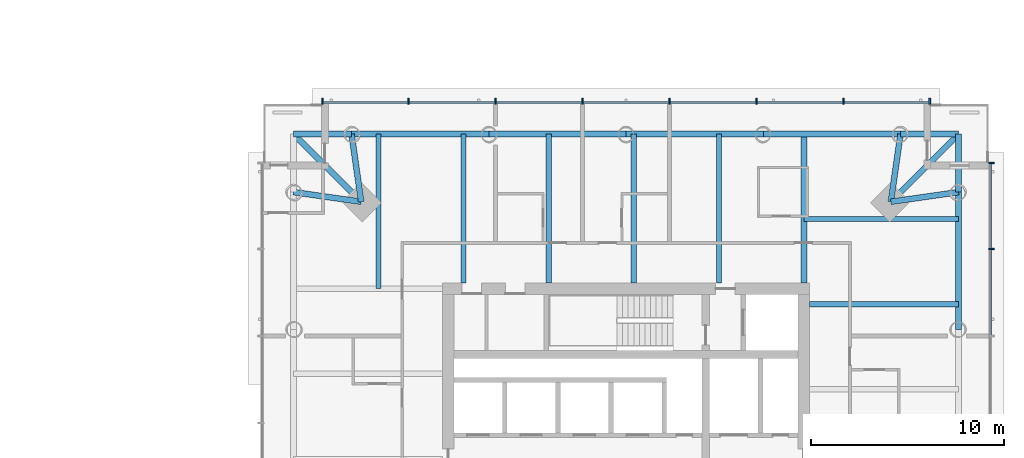
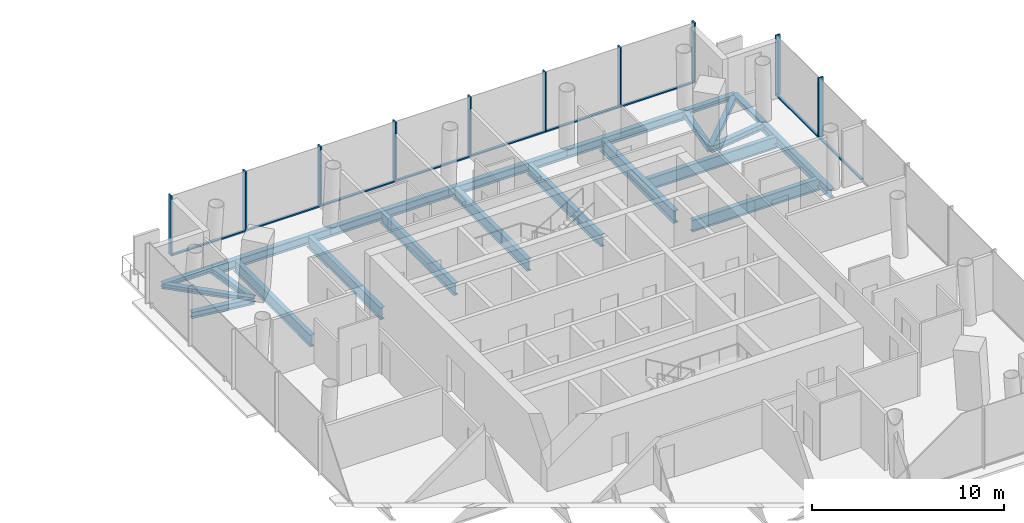
# One storey, part 6 of 22: 22 beams, 19 members, 2 elements without a shape of their own.
"""IFC4 building model written with IfcOpenShell, lengths in metres."""

from ifc_helpers import new_model, si_unit, direction, frame, origin, origin_2d, place, context, subcontext, project, spatial, rectangle, i_section, extrude, material, material_profile, profile_set, type_object, element, aggregate, save


model = new_model("IFC4")

# Units and contexts
model_context = context("Model", 3, precision=1e-05, world=origin(), true_north=direction((0.0, 1.0)))
body_context = subcontext(model_context, "Body", "Model", "MODEL_VIEW")
ifc_project = project(units=[si_unit("LENGTHUNIT", "METRE"), si_unit("AREAUNIT", "SQUARE_METRE"), si_unit("VOLUMEUNIT", "CUBIC_METRE"), si_unit("PLANEANGLEUNIT", "RADIAN"), si_unit("MASSUNIT", "GRAM", prefix="KILO")], contexts=[model_context])

# Site, building, storey
site_placement = place(None, origin())
site = spatial("IfcSite", under=ifc_project, at=site_placement, CompositionType="ELEMENT")
building_placement = place(site_placement, origin())
building = spatial("IfcBuilding", under=site, at=building_placement, Name="Ostroluk Exchange", CompositionType="ELEMENT")
storey_placement = place(building_placement, frame((0.0, 0.0, 62.800048828125)))
storey = spatial("IfcBuildingStorey", under=building, at=storey_placement, Name="L15", CompositionType="ELEMENT", Elevation=62.800048828125)

# Beams
ifc_material_1 = material(Name="Steel S355", Category="steel")
ifc_material_profile_1 = material_profile(ifc_material_1, i_section(OverallWidth=0.300048828125, OverallDepth=0.300048828125, WebThickness=0.010986328125, FlangeThickness=0.01904296875, FilletRadius=0.027099609375, at=origin_2d()), Name="HEB 300")
ifc_profile_set_1 = profile_set([ifc_material_profile_1], Name="Steel S355")
beam_type_1 = type_object("IfcBeamType", Name="Balcony beam HEB 300", PredefinedType="BEAM", material=ifc_profile_set_1)
for number, where, z_axis, x_axis, name in (
    (1, (134.1982421875, 60.1982421875, -0.35009765625), (0.0, 1.0, 0.0), (-1.0, 0.0, 0.0), "T2 east balcony beam a"),
    (2, (131.1982421875, 63.1982421875, -0.35009765625), (1.0, 0.0, 0.0), (0.0, 1.0, 0.0), "T2 east balcony beam b"),
):
    element("IfcBeam", number, at=place(storey_placement, frame(where, z_axis=z_axis, x_axis=x_axis)), inside=storey, type_object=beam_type_1, Name=name, PredefinedType="BEAM", context=body_context, shape_type="SweptSolid", body=[
        extrude(i_section(OverallWidth=0.300048828125, OverallDepth=0.300048828125, WebThickness=0.010986328125, FlangeThickness=0.01904296875, FilletRadius=0.027099609375, at=origin_2d()), origin(), (0.0, 0.0, 1.0), 3.0),
    ])
beam_1_placement = place(storey_placement, frame((130.6982421875, 59.6982421875, -0.35009765625), z_axis=(0.707106781187, 0.707106781187, 0.0), x_axis=(-0.707106781187, 0.707106781187, 0.0)))
element("IfcBeam", 3, at=beam_1_placement, inside=storey, type_object=beam_type_1, Name="T2 east balcony beam c", PredefinedType="BEAM", context=body_context, shape_type="SweptSolid", body=[
    extrude(i_section(OverallWidth=0.300048828125, OverallDepth=0.300048828125, WebThickness=0.010986328125, FlangeThickness=0.01904296875, FilletRadius=0.027099609375, at=origin_2d()), origin(), (0.0, 0.0, 1.0), 4.94970703125),
])
beam_2_placement = place(storey_placement, frame((102.8017578125, 63.1982421875, -0.35009765625), z_axis=(-1.0, 0.0, 0.0), x_axis=(0.0, -1.0, 0.0)))
element("IfcBeam", 4, at=beam_2_placement, inside=storey, type_object=beam_type_1, Name="T2 north balcony beam a", PredefinedType="BEAM", context=body_context, shape_type="SweptSolid", body=[
    extrude(i_section(OverallWidth=0.300048828125, OverallDepth=0.300048828125, WebThickness=0.010986328125, FlangeThickness=0.01904296875, FilletRadius=0.027099609375, at=origin_2d()), origin(), (0.0, 0.0, 1.0), 3.0),
])
beam_3_placement = place(storey_placement, frame((103.3017578125, 59.6982421875, -0.35009765625), z_axis=(-0.707106781187, 0.707106781187, 0.0), x_axis=(-0.707106781187, -0.707106781187, 0.0)))
element("IfcBeam", 5, at=beam_3_placement, inside=storey, type_object=beam_type_1, Name="T2 north balcony beam c", PredefinedType="BEAM", context=body_context, shape_type="SweptSolid", body=[
    extrude(i_section(OverallWidth=0.300048828125, OverallDepth=0.300048828125, WebThickness=0.010986328125, FlangeThickness=0.01904296875, FilletRadius=0.027099609375, at=origin_2d()), origin(), (0.0, 0.0, 1.0), 4.94970703125),
])
ifc_material_2 = material(Name="Steel S355", Category="steel")
ifc_material_profile_2 = material_profile(ifc_material_2, i_section(OverallWidth=0.300048828125, OverallDepth=0.39990234375, WebThickness=0.013427734375, FlangeThickness=0.02392578125, FilletRadius=0.027099609375, at=origin_2d()), Name="HEB 400")
ifc_profile_set_2 = profile_set([ifc_material_profile_2], Name="Steel S355")
beam_type_2 = type_object("IfcBeamType", Name="Corner edge beam HEB 400", PredefinedType="SPANDREL", material=ifc_profile_set_2)
for number, where, z_axis, x_axis, name in (
    (6, (130.6982421875, 59.6982421875, -0.400146484375), (0.989949493661, 0.141421356237, 0.0), (-0.141421356237, 0.989949493661, 0.0), "T2 east corner edge beam a"),
    (7, (130.6982421875, 59.6982421875, -0.400146484375), (0.141421356237, 0.989949493661, 0.0), (-0.989949493661, 0.141421356237, 0.0), "T2 east corner edge beam b"),
    (8, (103.3017578125, 59.6982421875, -0.400146484375), (-0.141421356237, 0.989949493661, 0.0), (-0.989949493661, -0.141421356237, 0.0), "T2 north corner edge beam a"),
    (9, (103.3017578125, 59.6982421875, -0.400146484375), (-0.989949493661, 0.141421356237, 0.0), (-0.141421356237, -0.989949493661, 0.0), "T2 north corner edge beam b"),
):
    element("IfcBeam", number, at=place(storey_placement, frame(where, z_axis=z_axis, x_axis=x_axis)), inside=storey, type_object=beam_type_2, Name=name, PredefinedType="SPANDREL", context=body_context, shape_type="SweptSolid", body=[
        extrude(i_section(OverallWidth=0.300048828125, OverallDepth=0.39990234375, WebThickness=0.013427734375, FlangeThickness=0.02392578125, FilletRadius=0.027099609375, at=origin_2d()), origin(), (0.0, 0.0, 1.0), 3.53564453125),
    ])
ifc_material_3 = material(Name="Steel S355", Category="steel")
ifc_material_profile_3 = material_profile(ifc_material_3, i_section(OverallWidth=0.264892578125, OverallDepth=0.7529296875, WebThickness=0.01318359375, FlangeThickness=0.01708984375, FilletRadius=0.01708984375, at=origin_2d()), Name="IPE 750x147")
ifc_profile_set_3 = profile_set([ifc_material_profile_3], Name="Steel S355")
beam_type_3 = type_object("IfcBeamType", Name="Floor beam IPE 750x147", PredefinedType="BEAM", material=ifc_profile_set_3)
beam_4_placement = place(storey_placement, frame((126.5, 54.39892578125, -0.57666015625), z_axis=(1.0, 0.0, 0.0), x_axis=(0.0, 1.0, 0.0)))
element("IfcBeam", 10, at=beam_4_placement, inside=storey, type_object=beam_type_3, Name="T2 east floor beam 4", PredefinedType="BEAM", context=body_context, shape_type="SweptSolid", body=[
    extrude(i_section(OverallWidth=0.264892578125, OverallDepth=0.7529296875, WebThickness=0.01318359375, FlangeThickness=0.01708984375, FilletRadius=0.01708984375, at=origin_2d()), origin(), (0.0, 0.0, 1.0), 7.6982421875),
])
beam_5_placement = place(storey_placement, frame((126.199951171875, 58.79833984375, -0.57666015625), z_axis=(1.0, 0.0, 0.0), x_axis=(0.0, 1.0, 0.0)))
element("IfcBeam", 11, at=beam_5_placement, inside=storey, type_object=beam_type_3, Name="T2 east floor beam 5", PredefinedType="BEAM", context=body_context, shape_type="SweptSolid", body=[
    extrude(i_section(OverallWidth=0.264892578125, OverallDepth=0.7529296875, WebThickness=0.01318359375, FlangeThickness=0.01708984375, FilletRadius=0.01708984375, at=origin_2d()), origin(), (0.0, 0.0, 1.0), 7.998291015625),
])
for number, where, z_axis, x_axis, name in (
    (12, (121.80029296875, 55.5, -0.57666015625), (0.0, 1.0, 0.0), (-1.0, 0.0, 0.0), "T2 north floor beam 1"),
    (13, (117.400634765625, 55.5, -0.57666015625), (0.0, 1.0, 0.0), (-1.0, 0.0, 0.0), "T2 north floor beam 2"),
    (14, (113.0009765625, 55.5, -0.57666015625), (0.0, 1.0, 0.0), (-1.0, 0.0, 0.0), "T2 north floor beam 3"),
    (15, (108.60107421875, 55.5, -0.57666015625), (0.0, 1.0, 0.0), (-1.0, 0.0, 0.0), "T2 north floor beam 4"),
):
    element("IfcBeam", number, at=place(storey_placement, frame(where, z_axis=z_axis, x_axis=x_axis)), inside=storey, type_object=beam_type_3, Name=name, PredefinedType="BEAM", context=body_context, shape_type="SweptSolid", body=[
        extrude(i_section(OverallWidth=0.264892578125, OverallDepth=0.7529296875, WebThickness=0.01318359375, FlangeThickness=0.01708984375, FilletRadius=0.01708984375, at=origin_2d()), origin(), (0.0, 0.0, 1.0), 7.6982421875),
    ])
beam_6_placement = place(storey_placement, frame((104.20166015625, 55.199951171875, -0.57666015625), z_axis=(0.0, 1.0, 0.0), x_axis=(-1.0, 0.0, 0.0)))
element("IfcBeam", 16, at=beam_6_placement, inside=storey, type_object=beam_type_3, Name="T2 north floor beam 5", PredefinedType="BEAM", context=body_context, shape_type="SweptSolid", body=[
    extrude(i_section(OverallWidth=0.264892578125, OverallDepth=0.7529296875, WebThickness=0.01318359375, FlangeThickness=0.01708984375, FilletRadius=0.01708984375, at=origin_2d()), origin(), (0.0, 0.0, 1.0), 7.998291015625),
])
ifc_material_4 = material(Name="Steel S355", Category="steel")
ifc_material_profile_4 = material_profile(ifc_material_4, i_section(OverallWidth=0.300048828125, OverallDepth=0.800048828125, WebThickness=0.017578125, FlangeThickness=0.032958984375, FilletRadius=0.030029296875, at=origin_2d()), Name="HEB 800")
ifc_profile_set_4 = profile_set([ifc_material_profile_4], Name="Steel S355")
beam_type_4 = type_object("IfcBeamType", Name="Girder HEB 800", PredefinedType="BEAM", material=ifc_profile_set_4)
beam_7_placement = place(storey_placement, frame((126.199951171875, 55.5, -0.60009765625), z_axis=(0.0, 1.0, 0.0), x_axis=(-1.0, 0.0, 0.0)))
element("IfcBeam", 17, at=beam_7_placement, inside=storey, type_object=beam_type_4, Name="T2 east girder", PredefinedType="BEAM", context=body_context, shape_type="SweptSolid", body=[
    extrude(i_section(OverallWidth=0.300048828125, OverallDepth=0.800048828125, WebThickness=0.017578125, FlangeThickness=0.032958984375, FilletRadius=0.030029296875, at=origin_2d()), origin(), (0.0, 0.0, 1.0), 7.6982421875),
])
ifc_material_5 = material(Name="Steel S355", Category="steel")
ifc_material_profile_5 = material_profile(ifc_material_5, i_section(OverallWidth=0.300048828125, OverallDepth=0.550048828125, WebThickness=0.014892578125, FlangeThickness=0.029052734375, FilletRadius=0.027099609375, at=origin_2d()), Name="HEB 550")
ifc_profile_set_5 = profile_set([ifc_material_profile_5], Name="Steel S355")
beam_type_5 = type_object("IfcBeamType", Name="Moment-connected edge beam HEB 550", PredefinedType="SPANDREL", material=ifc_profile_set_5)
for number, where, z_axis, x_axis, name in (
    (18, (134.1982421875, 53.09912109375, -0.47509765625), (0.0, 1.0, 0.0), (-1.0, 0.0, 0.0), "T2 east edge beam 4"),
    (19, (131.1982421875, 63.1982421875, -0.47509765625), (-1.0, 0.0, 0.0), (0.0, -1.0, 0.0), "T2 north edge beam 1"),
    (20, (124.09912109375, 63.1982421875, -0.47509765625), (-1.0, 0.0, 0.0), (0.0, -1.0, 0.0), "T2 north edge beam 2"),
    (21, (117.0, 63.1982421875, -0.47509765625), (-1.0, 0.0, 0.0), (0.0, -1.0, 0.0), "T2 north edge beam 3"),
    (22, (109.90087890625, 63.1982421875, -0.47509765625), (-1.0, 0.0, 0.0), (0.0, -1.0, 0.0), "T2 north edge beam 4"),
):
    element("IfcBeam", number, at=place(storey_placement, frame(where, z_axis=z_axis, x_axis=x_axis)), inside=storey, type_object=beam_type_5, Name=name, PredefinedType="SPANDREL", context=body_context, shape_type="SweptSolid", body=[
        extrude(i_section(OverallWidth=0.300048828125, OverallDepth=0.550048828125, WebThickness=0.014892578125, FlangeThickness=0.029052734375, FilletRadius=0.027099609375, at=origin_2d()), origin(), (0.0, 0.0, 1.0), 7.09912109375),
    ])

# Curtain wall, members
ifc_material_6 = material(Name="Laminated clear glass", Category="glass")
curtain_wall_type = type_object("IfcCurtainWallType", Name="Hotel guest floor facade", PredefinedType="USERDEFINED", material=ifc_material_6)
curtain_wall_1_placement = place(storey_placement, origin())
curtain_wall_1 = element("IfcCurtainWall", 23, at=curtain_wall_1_placement, inside=storey, type_object=curtain_wall_type, Name="Hotel tower east facade L15", ObjectType="UNITISED CURTAIN WALL", PredefinedType="USERDEFINED")
ifc_material_7 = material(Name="Aluminium mullion", Category="aluminium")
ifc_material_profile_6 = material_profile(ifc_material_7, rectangle(XDim=0.14990234375, YDim=0.080078125, at=origin_2d()), Name="Sill transom 80 x 150")
ifc_profile_set_6 = profile_set([ifc_material_profile_6], Name="Aluminium mullion")
member_type_1 = type_object("IfcMemberType", Name="Sill transom 80 x 150", PredefinedType="USERDEFINED", material=ifc_profile_set_6)
member_1_placement = place(storey_placement, frame((135.824951171875, 52.7900390625, 0.0400390625), z_axis=(0.0, 1.0, 0.0), x_axis=(-1.0, 0.0, 0.0)))
member_1 = element("IfcMember", 24, at=member_1_placement, type_object=member_type_1, Name="CW-H1 transom 6.1", ObjectType="TRANSOM", PredefinedType="USERDEFINED", context=body_context, shape_type="SweptSolid", body=[
    extrude(rectangle(XDim=0.14990234375, YDim=0.080078125, at=origin_2d()), origin(), (0.0, 0.0, 1.0), 4.419921875),
])
member_2_placement = place(storey_placement, frame((135.824951171875, 57.2900390625, 0.0400390625), z_axis=(0.0, 1.0, 0.0), x_axis=(-1.0, 0.0, 0.0)))
member_2 = element("IfcMember", 25, at=member_2_placement, type_object=member_type_1, Name="CW-H1 transom 7.1", ObjectType="TRANSOM", PredefinedType="USERDEFINED", context=body_context, shape_type="SweptSolid", body=[
    extrude(rectangle(XDim=0.14990234375, YDim=0.080078125, at=origin_2d()), origin(), (0.0, 0.0, 1.0), 4.3798828125),
])

curtain_wall_2_placement = place(storey_placement, origin())
curtain_wall_2 = element("IfcCurtainWall", 26, at=curtain_wall_2_placement, inside=storey, type_object=curtain_wall_type, Name="Hotel tower north facade L15", ObjectType="UNITISED CURTAIN WALL", PredefinedType="USERDEFINED")
member_3_placement = place(storey_placement, frame((132.669921875, 64.824951171875, 0.0400390625), z_axis=(-1.0, 0.0, 0.0), x_axis=(0.0, -1.0, 0.0)))
member_3 = element("IfcMember", 27, at=member_3_placement, type_object=member_type_1, Name="CW-H1 transom 1.1", ObjectType="TRANSOM", PredefinedType="USERDEFINED", context=body_context, shape_type="SweptSolid", body=[
    extrude(rectangle(XDim=0.14990234375, YDim=0.080078125, at=origin_2d()), origin(), (0.0, 0.0, 1.0), 4.3798828125),
])
member_4_placement = place(storey_placement, frame((128.2099609375, 64.824951171875, 0.0400390625), z_axis=(-1.0, 0.0, 0.0), x_axis=(0.0, -1.0, 0.0)))
member_4 = element("IfcMember", 28, at=member_4_placement, type_object=member_type_1, Name="CW-H1 transom 2.1", ObjectType="TRANSOM", PredefinedType="USERDEFINED", context=body_context, shape_type="SweptSolid", body=[
    extrude(rectangle(XDim=0.14990234375, YDim=0.080078125, at=origin_2d()), origin(), (0.0, 0.0, 1.0), 4.419921875),
])
member_5_placement = place(storey_placement, frame((123.7099609375, 64.824951171875, 0.0400390625), z_axis=(-1.0, 0.0, 0.0), x_axis=(0.0, -1.0, 0.0)))
member_5 = element("IfcMember", 29, at=member_5_placement, type_object=member_type_1, Name="CW-H1 transom 3.1", ObjectType="TRANSOM", PredefinedType="USERDEFINED", context=body_context, shape_type="SweptSolid", body=[
    extrude(rectangle(XDim=0.14990234375, YDim=0.080078125, at=origin_2d()), origin(), (0.0, 0.0, 1.0), 4.419921875),
])
member_6_placement = place(storey_placement, frame((119.2099609375, 64.824951171875, 0.0400390625), z_axis=(-1.0, 0.0, 0.0), x_axis=(0.0, -1.0, 0.0)))
member_6 = element("IfcMember", 30, at=member_6_placement, type_object=member_type_1, Name="CW-H1 transom 4.1", ObjectType="TRANSOM", PredefinedType="USERDEFINED", context=body_context, shape_type="SweptSolid", body=[
    extrude(rectangle(XDim=0.14990234375, YDim=0.080078125, at=origin_2d()), origin(), (0.0, 0.0, 1.0), 4.419921875),
])
member_7_placement = place(storey_placement, frame((114.7099609375, 64.824951171875, 0.0400390625), z_axis=(-1.0, 0.0, 0.0), x_axis=(0.0, -1.0, 0.0)))
member_7 = element("IfcMember", 31, at=member_7_placement, type_object=member_type_1, Name="CW-H1 transom 5.1", ObjectType="TRANSOM", PredefinedType="USERDEFINED", context=body_context, shape_type="SweptSolid", body=[
    extrude(rectangle(XDim=0.14990234375, YDim=0.080078125, at=origin_2d()), origin(), (0.0, 0.0, 1.0), 4.419921875),
])
member_8_placement = place(storey_placement, frame((110.2099609375, 64.824951171875, 0.0400390625), z_axis=(-1.0, 0.0, 0.0), x_axis=(0.0, -1.0, 0.0)))
member_8 = element("IfcMember", 32, at=member_8_placement, type_object=member_type_1, Name="CW-H1 transom 6.1", ObjectType="TRANSOM", PredefinedType="USERDEFINED", context=body_context, shape_type="SweptSolid", body=[
    extrude(rectangle(XDim=0.14990234375, YDim=0.080078125, at=origin_2d()), origin(), (0.0, 0.0, 1.0), 4.419921875),
])
member_9_placement = place(storey_placement, frame((105.7099609375, 64.824951171875, 0.0400390625), z_axis=(-1.0, 0.0, 0.0), x_axis=(0.0, -1.0, 0.0)))
member_9 = element("IfcMember", 33, at=member_9_placement, type_object=member_type_1, Name="CW-H1 transom 7.1", ObjectType="TRANSOM", PredefinedType="USERDEFINED", context=body_context, shape_type="SweptSolid", body=[
    extrude(rectangle(XDim=0.14990234375, YDim=0.080078125, at=origin_2d()), origin(), (0.0, 0.0, 1.0), 4.3798828125),
])

# Member
ifc_material_8 = material(Name="Aluminium mullion with limestone facing", Category="masonry")
ifc_material_profile_7 = material_profile(ifc_material_8, rectangle(XDim=0.300048828125, YDim=0.080078125, at=origin_2d()), Name="Tracery mullion 80 x 300")
ifc_profile_set_7 = profile_set([ifc_material_profile_7], Name="Aluminium mullion with limestone facing")
member_type_2 = type_object("IfcMemberType", Name="Tracery mullion 80 x 300", PredefinedType="MULLION", material=ifc_profile_set_7)
member_10_placement = place(storey_placement, frame((135.89990234375, 57.25, 0.0), z_axis=(0.0, 0.0, 1.0), x_axis=(-1.0, 0.0, 0.0)))
member_10 = element("IfcMember", 34, at=member_10_placement, type_object=member_type_2, Name="CW-H1 mullion 7", PredefinedType="MULLION", context=body_context, shape_type="SweptSolid", body=[
    extrude(rectangle(XDim=0.300048828125, YDim=0.080078125, at=origin_2d()), origin(), (0.0, 0.0, 1.0), 3.800048828125),
])

member_11_placement = place(storey_placement, frame((135.89990234375, 61.7099609375, 0.0), z_axis=(0.0, 0.0, 1.0), x_axis=(-1.0, 0.0, 0.0)))
member_11 = element("IfcMember", 35, at=member_11_placement, type_object=member_type_2, Name="CW-H1 mullion 8", PredefinedType="MULLION", context=body_context, shape_type="SweptSolid", body=[
    extrude(rectangle(XDim=0.300048828125, YDim=0.080078125, at=origin_2d()), origin(), (0.0, 0.0, 1.0), 3.800048828125),
])

aggregate(curtain_wall_1, [member_10, member_11, member_1, member_2])

member_12_placement = place(storey_placement, frame((132.7099609375, 64.89990234375, 0.0), z_axis=(0.0, 0.0, 1.0), x_axis=(0.0, -1.0, 0.0)))
member_12 = element("IfcMember", 36, at=member_12_placement, type_object=member_type_2, Name="CW-H1 mullion 1", PredefinedType="MULLION", context=body_context, shape_type="SweptSolid", body=[
    extrude(rectangle(XDim=0.300048828125, YDim=0.080078125, at=origin_2d()), origin(), (0.0, 0.0, 1.0), 3.800048828125),
])

member_13_placement = place(storey_placement, frame((128.25, 64.89990234375, 0.0), z_axis=(0.0, 0.0, 1.0), x_axis=(0.0, -1.0, 0.0)))
member_13 = element("IfcMember", 37, at=member_13_placement, type_object=member_type_2, Name="CW-H1 mullion 2", PredefinedType="MULLION", context=body_context, shape_type="SweptSolid", body=[
    extrude(rectangle(XDim=0.300048828125, YDim=0.080078125, at=origin_2d()), origin(), (0.0, 0.0, 1.0), 3.800048828125),
])

member_14_placement = place(storey_placement, frame((123.75, 64.89990234375, 0.0), z_axis=(0.0, 0.0, 1.0), x_axis=(0.0, -1.0, 0.0)))
member_14 = element("IfcMember", 38, at=member_14_placement, type_object=member_type_2, Name="CW-H1 mullion 3", PredefinedType="MULLION", context=body_context, shape_type="SweptSolid", body=[
    extrude(rectangle(XDim=0.300048828125, YDim=0.080078125, at=origin_2d()), origin(), (0.0, 0.0, 1.0), 3.800048828125),
])

member_15_placement = place(storey_placement, frame((119.25, 64.89990234375, 0.0), z_axis=(0.0, 0.0, 1.0), x_axis=(0.0, -1.0, 0.0)))
member_15 = element("IfcMember", 39, at=member_15_placement, type_object=member_type_2, Name="CW-H1 mullion 4", PredefinedType="MULLION", context=body_context, shape_type="SweptSolid", body=[
    extrude(rectangle(XDim=0.300048828125, YDim=0.080078125, at=origin_2d()), origin(), (0.0, 0.0, 1.0), 3.800048828125),
])

member_16_placement = place(storey_placement, frame((114.75, 64.89990234375, 0.0), z_axis=(0.0, 0.0, 1.0), x_axis=(0.0, -1.0, 0.0)))
member_16 = element("IfcMember", 40, at=member_16_placement, type_object=member_type_2, Name="CW-H1 mullion 5", PredefinedType="MULLION", context=body_context, shape_type="SweptSolid", body=[
    extrude(rectangle(XDim=0.300048828125, YDim=0.080078125, at=origin_2d()), origin(), (0.0, 0.0, 1.0), 3.800048828125),
])

member_17_placement = place(storey_placement, frame((110.25, 64.89990234375, 0.0), z_axis=(0.0, 0.0, 1.0), x_axis=(0.0, -1.0, 0.0)))
member_17 = element("IfcMember", 41, at=member_17_placement, type_object=member_type_2, Name="CW-H1 mullion 6", PredefinedType="MULLION", context=body_context, shape_type="SweptSolid", body=[
    extrude(rectangle(XDim=0.300048828125, YDim=0.080078125, at=origin_2d()), origin(), (0.0, 0.0, 1.0), 3.800048828125),
])

member_18_placement = place(storey_placement, frame((105.75, 64.89990234375, 0.0), z_axis=(0.0, 0.0, 1.0), x_axis=(0.0, -1.0, 0.0)))
member_18 = element("IfcMember", 42, at=member_18_placement, type_object=member_type_2, Name="CW-H1 mullion 7", PredefinedType="MULLION", context=body_context, shape_type="SweptSolid", body=[
    extrude(rectangle(XDim=0.300048828125, YDim=0.080078125, at=origin_2d()), origin(), (0.0, 0.0, 1.0), 3.800048828125),
])

member_19_placement = place(storey_placement, frame((101.2900390625, 64.89990234375, 0.0), z_axis=(0.0, 0.0, 1.0), x_axis=(0.0, -1.0, 0.0)))
member_19 = element("IfcMember", 43, at=member_19_placement, type_object=member_type_2, Name="CW-H1 mullion 8", PredefinedType="MULLION", context=body_context, shape_type="SweptSolid", body=[
    extrude(rectangle(XDim=0.300048828125, YDim=0.080078125, at=origin_2d()), origin(), (0.0, 0.0, 1.0), 3.800048828125),
])

aggregate(curtain_wall_2, [member_12, member_13, member_14, member_15, member_16, member_17, member_18, member_19, member_3, member_4, member_5, member_6, member_7, member_8, member_9])

save(model, "model.ifc")
